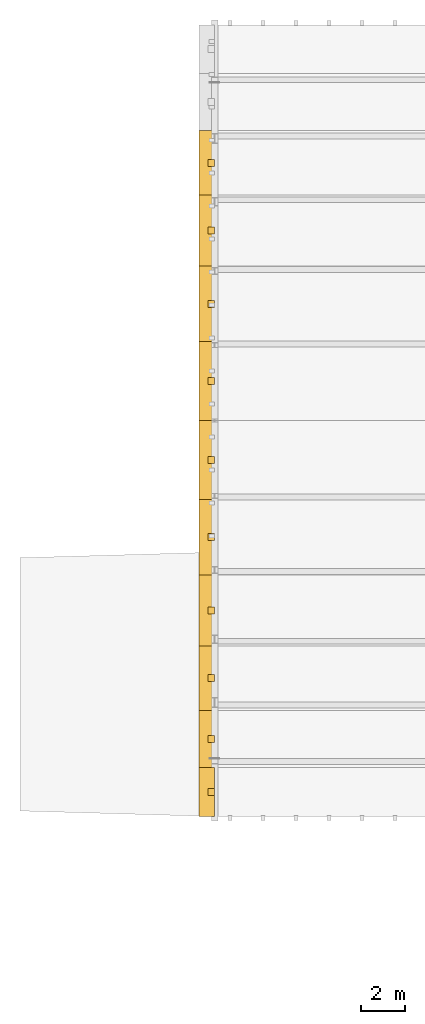
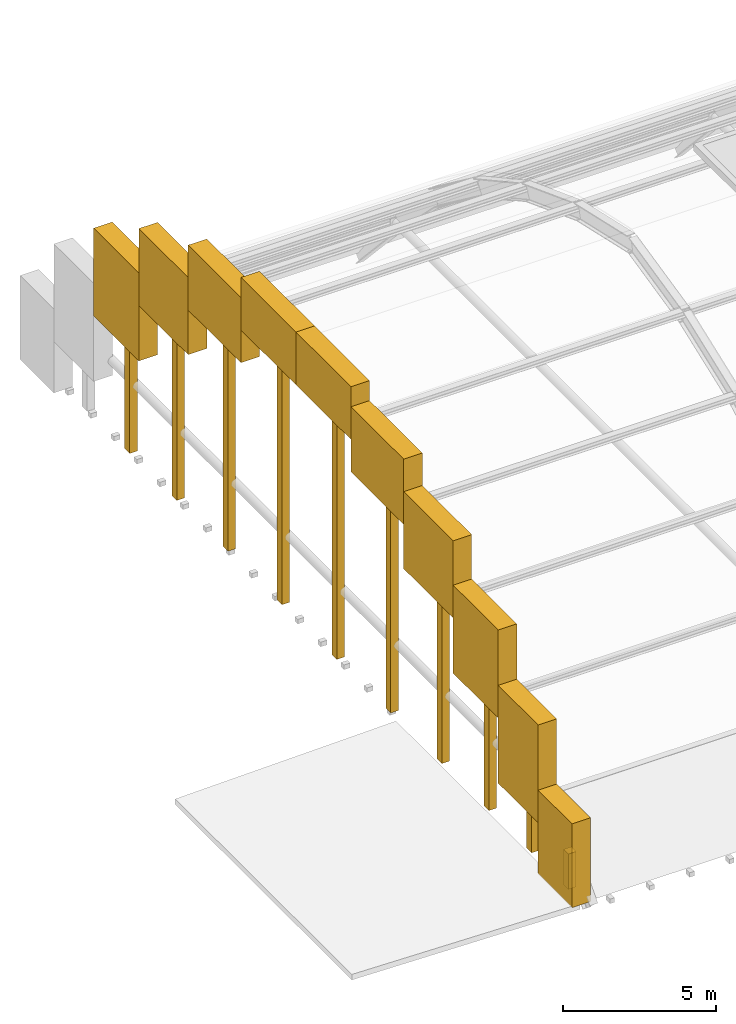
# One storey, part 26 of 35: 20 coverings.
"""IFC4 building model written with IfcOpenShell, lengths in metres."""

from ifc_helpers import new_model, si_unit, direction, frame, origin, place, context, subcontext, project, spatial, polyline, outline, extrude, material, layer, layer_set, type_object, element, save


model = new_model("IFC4")

# Units and contexts
model_context = context("Model", 3, precision=1e-05, world=origin(), true_north=direction((0.0, 1.0)))
body_context = subcontext(model_context, "Body", "Model", "MODEL_VIEW")
ifc_project = project(units=[si_unit("LENGTHUNIT", "METRE"), si_unit("AREAUNIT", "SQUARE_METRE"), si_unit("VOLUMEUNIT", "CUBIC_METRE"), si_unit("PLANEANGLEUNIT", "RADIAN"), si_unit("MASSUNIT", "GRAM", prefix="KILO")], contexts=[model_context])

# Site, building, storey
site_placement = place(None, origin())
site = spatial("IfcSite", under=ifc_project, at=site_placement, CompositionType="ELEMENT")
building_placement = place(site_placement, origin())
building = spatial("IfcBuilding", under=site, at=building_placement, Name="Zlatogorsky Bluff Art Gallery", CompositionType="ELEMENT")
storey_placement = place(building_placement, frame((0.0, 0.0, 23.39990234375)))
storey = spatial("IfcBuildingStorey", under=building, at=storey_placement, Name="L04", CompositionType="ELEMENT", Elevation=23.39990234375)

# Coverings
ifc_material_1 = material(Name="Honed Red Agra-Tone Quartzitic Sandstone", Category="masonry")
ifc_layer_1 = layer(ifc_material_1, 0.1201171875)
ifc_layer_set_1 = layer_set([ifc_layer_1], Name="Carved Sandstone Cladding CLD-02")
covering_type_1 = type_object("IfcCoveringType", Name="Carved Sandstone Cladding CLD-02", PredefinedType="CLADDING", material=ifc_layer_set_1)
covering_1_placement = place(storey_placement, frame((0.0, 0.0, -0.0498046875)))
element("IfcCovering", 1, at=covering_1_placement, inside=storey, type_object=covering_type_1, Name="Barrel vault Mughal pointed gable archivolt WEST.1", PredefinedType="CLADDING", context=body_context, shape_type="SweptSolid", body=[
    extrude(outline(polyline([(-0.64990234375, 84.0), (0.050048828125, 84.0), (0.050048828125, 86.20849609375), (-0.64990234375, 86.20849609375), (-0.64990234375, 84.0)])), origin(), (0.0, 0.0, 1.0), 3.337646484375),
])
covering_2_placement = place(storey_placement, frame((0.0, 0.0, 1.98779296875)))
element("IfcCovering", 2, at=covering_2_placement, inside=storey, type_object=covering_type_1, Name="Barrel vault Mughal pointed gable archivolt WEST.2", PredefinedType="CLADDING", context=body_context, shape_type="SweptSolid", body=[
    extrude(outline(polyline([(-0.64990234375, 86.20849609375), (0.050048828125, 86.20849609375), (0.050048828125, 88.809326171875), (-0.64990234375, 88.809326171875), (-0.64990234375, 86.20849609375)])), origin(), (0.0, 0.0, 1.0), 3.897216796875),
])
covering_3_placement = place(storey_placement, frame((0.0, 0.0, 4.5849609375)))
element("IfcCovering", 3, at=covering_3_placement, inside=storey, type_object=covering_type_1, Name="Barrel vault Mughal pointed gable archivolt WEST.3", PredefinedType="CLADDING", context=body_context, shape_type="SweptSolid", body=[
    extrude(outline(polyline([(-0.64990234375, 88.809326171875), (0.050048828125, 88.809326171875), (0.050048828125, 91.750244140625), (-0.64990234375, 91.750244140625), (-0.64990234375, 88.809326171875)])), origin(), (0.0, 0.0, 1.0), 3.50439453125),
])
covering_4_placement = place(storey_placement, frame((0.0, 0.0, 6.789306640625)))
element("IfcCovering", 4, at=covering_4_placement, inside=storey, type_object=covering_type_1, Name="Barrel vault Mughal pointed gable archivolt WEST.4", PredefinedType="CLADDING", context=body_context, shape_type="SweptSolid", body=[
    extrude(outline(polyline([(-0.64990234375, 91.750244140625), (0.050048828125, 91.750244140625), (0.050048828125, 94.97265625), (-0.64990234375, 94.97265625), (-0.64990234375, 91.750244140625)])), origin(), (0.0, 0.0, 1.0), 3.067626953125),
])
covering_5_placement = place(storey_placement, frame((0.0, 0.0, 8.556884765625)))
element("IfcCovering", 5, at=covering_5_placement, inside=storey, type_object=covering_type_1, Name="Barrel vault Mughal pointed gable archivolt WEST.5", PredefinedType="CLADDING", context=body_context, shape_type="SweptSolid", body=[
    extrude(outline(polyline([(-0.64990234375, 94.97265625), (0.050048828125, 94.97265625), (0.050048828125, 98.412109375), (-0.64990234375, 98.412109375), (-0.64990234375, 94.97265625)])), origin(), (0.0, 0.0, 1.0), 2.595703125),
])
covering_6_placement = place(storey_placement, frame((0.0, 0.0, 9.8525390625)))
element("IfcCovering", 6, at=covering_6_placement, inside=storey, type_object=covering_type_1, Name="Barrel vault Mughal pointed gable archivolt WEST.6", PredefinedType="CLADDING", context=body_context, shape_type="SweptSolid", body=[
    extrude(outline(polyline([(-0.64990234375, 98.412109375), (0.050048828125, 98.412109375), (0.050048828125, 102.0), (-0.64990234375, 102.0), (-0.64990234375, 98.412109375)])), origin(), (0.0, 0.0, 1.0), 2.09765625),
])
covering_7_placement = place(storey_placement, frame((0.0, 0.0, 9.8525390625)))
element("IfcCovering", 7, at=covering_7_placement, inside=storey, type_object=covering_type_1, Name="Barrel vault Mughal pointed gable archivolt WEST.7", PredefinedType="CLADDING", context=body_context, shape_type="SweptSolid", body=[
    extrude(outline(polyline([(-0.64990234375, 102.0), (0.050048828125, 102.0), (0.050048828125, 105.587890625), (-0.64990234375, 105.587890625), (-0.64990234375, 102.0)])), origin(), (0.0, 0.0, 1.0), 2.09765625),
])
covering_8_placement = place(storey_placement, frame((0.0, 0.0, 8.556884765625)))
element("IfcCovering", 8, at=covering_8_placement, inside=storey, type_object=covering_type_1, Name="Barrel vault Mughal pointed gable archivolt WEST.8", PredefinedType="CLADDING", context=body_context, shape_type="SweptSolid", body=[
    extrude(outline(polyline([(-0.64990234375, 105.587890625), (0.050048828125, 105.587890625), (0.050048828125, 109.02734375), (-0.64990234375, 109.02734375), (-0.64990234375, 105.587890625)])), origin(), (0.0, 0.0, 1.0), 2.595703125),
])
covering_9_placement = place(storey_placement, frame((0.0, 0.0, 6.789306640625)))
element("IfcCovering", 9, at=covering_9_placement, inside=storey, type_object=covering_type_1, Name="Barrel vault Mughal pointed gable archivolt WEST.9", PredefinedType="CLADDING", context=body_context, shape_type="SweptSolid", body=[
    extrude(outline(polyline([(-0.64990234375, 109.02734375), (0.050048828125, 109.02734375), (0.050048828125, 112.249755859375), (-0.64990234375, 112.249755859375), (-0.64990234375, 109.02734375)])), origin(), (0.0, 0.0, 1.0), 3.067626953125),
])
covering_10_placement = place(storey_placement, frame((0.0, 0.0, 4.5849609375)))
element("IfcCovering", 10, at=covering_10_placement, inside=storey, type_object=covering_type_1, Name="Barrel vault Mughal pointed gable archivolt WEST.10", PredefinedType="CLADDING", context=body_context, shape_type="SweptSolid", body=[
    extrude(outline(polyline([(-0.64990234375, 112.249755859375), (0.050048828125, 112.249755859375), (0.050048828125, 115.190673828125), (-0.64990234375, 115.190673828125), (-0.64990234375, 112.249755859375)])), origin(), (0.0, 0.0, 1.0), 3.50439453125),
])
ifc_material_2 = material(Name="Patinated Architectural Bronze Fin", Category="metal")
ifc_layer_2 = layer(ifc_material_2, 0.110107421875)
ifc_layer_set_2 = layer_set([ifc_layer_2], Name="Vertical Gallery Fin FIN-01")
covering_type_2 = type_object("IfcCoveringType", Name="Vertical Gallery Fin FIN-01", PredefinedType="CLADDING", material=ifc_layer_set_2)
covering_11_placement = place(storey_placement, frame((0.0, 0.0, -0.039794921875)))
element("IfcCovering", 11, at=covering_11_placement, inside=storey, type_object=covering_type_2, Name="Barrel vault gable tympanum bronze mullion WEST.1", PredefinedType="CLADDING", context=body_context, shape_type="SweptSolid", body=[
    extrude(outline(polyline([(-0.239990234375, 84.9443359375), (0.050048828125, 84.9443359375), (0.050048828125, 85.264404296875), (-0.239990234375, 85.264404296875), (-0.239990234375, 84.9443359375)])), origin(), (0.0, 0.0, 1.0), 1.40869140625),
])
covering_12_placement = place(storey_placement, frame((0.0, 0.0, -0.039794921875)))
element("IfcCovering", 12, at=covering_12_placement, inside=storey, type_object=covering_type_2, Name="Barrel vault gable tympanum bronze mullion WEST.2", PredefinedType="CLADDING", context=body_context, shape_type="SweptSolid", body=[
    extrude(outline(polyline([(-0.239990234375, 87.34912109375), (0.050048828125, 87.34912109375), (0.050048828125, 87.6689453125), (-0.239990234375, 87.6689453125), (-0.239990234375, 87.34912109375)])), origin(), (0.0, 0.0, 1.0), 4.17626953125),
])
covering_13_placement = place(storey_placement, frame((0.0, 0.0, -0.039794921875)))
element("IfcCovering", 13, at=covering_13_placement, inside=storey, type_object=covering_type_2, Name="Barrel vault gable tympanum bronze mullion WEST.3", PredefinedType="CLADDING", context=body_context, shape_type="SweptSolid", body=[
    extrude(outline(polyline([(-0.239990234375, 90.119873046875), (0.050048828125, 90.119873046875), (0.050048828125, 90.439697265625), (-0.239990234375, 90.439697265625), (-0.239990234375, 90.119873046875)])), origin(), (0.0, 0.0, 1.0), 6.576904296875),
])
covering_14_placement = place(storey_placement, frame((0.0, 0.0, -0.039794921875)))
element("IfcCovering", 14, at=covering_14_placement, inside=storey, type_object=covering_type_2, Name="Barrel vault gable tympanum bronze mullion WEST.4", PredefinedType="CLADDING", context=body_context, shape_type="SweptSolid", body=[
    extrude(outline(polyline([(-0.239990234375, 93.201416015625), (0.050048828125, 93.201416015625), (0.050048828125, 93.521484375), (-0.239990234375, 93.521484375), (-0.239990234375, 93.201416015625)])), origin(), (0.0, 0.0, 1.0), 8.56298828125),
])
covering_15_placement = place(storey_placement, frame((0.0, 0.0, -0.039794921875)))
element("IfcCovering", 15, at=covering_15_placement, inside=storey, type_object=covering_type_2, Name="Barrel vault gable tympanum bronze mullion WEST.5", PredefinedType="CLADDING", context=body_context, shape_type="SweptSolid", body=[
    extrude(outline(polyline([(-0.239990234375, 96.532470703125), (0.050048828125, 96.532470703125), (0.050048828125, 96.8525390625), (-0.239990234375, 96.8525390625), (-0.239990234375, 96.532470703125)])), origin(), (0.0, 0.0, 1.0), 10.094482421875),
])
covering_16_placement = place(storey_placement, frame((0.0, 0.0, -0.039794921875)))
element("IfcCovering", 16, at=covering_16_placement, inside=storey, type_object=covering_type_2, Name="Barrel vault gable tympanum bronze mullion WEST.6", PredefinedType="CLADDING", context=body_context, shape_type="SweptSolid", body=[
    extrude(outline(polyline([(-0.239990234375, 100.046142578125), (0.050048828125, 100.046142578125), (0.050048828125, 100.3662109375), (-0.239990234375, 100.3662109375), (-0.239990234375, 100.046142578125)])), origin(), (0.0, 0.0, 1.0), 11.14111328125),
])
covering_17_placement = place(storey_placement, frame((0.0, 0.0, -0.039794921875)))
element("IfcCovering", 17, at=covering_17_placement, inside=storey, type_object=covering_type_2, Name="Barrel vault gable tympanum bronze mullion WEST.7", PredefinedType="CLADDING", context=body_context, shape_type="SweptSolid", body=[
    extrude(outline(polyline([(-0.239990234375, 103.6337890625), (0.050048828125, 103.6337890625), (0.050048828125, 103.953857421875), (-0.239990234375, 103.953857421875), (-0.239990234375, 103.6337890625)])), origin(), (0.0, 0.0, 1.0), 11.14111328125),
])
covering_18_placement = place(storey_placement, frame((0.0, 0.0, -0.039794921875)))
element("IfcCovering", 18, at=covering_18_placement, inside=storey, type_object=covering_type_2, Name="Barrel vault gable tympanum bronze mullion WEST.8", PredefinedType="CLADDING", context=body_context, shape_type="SweptSolid", body=[
    extrude(outline(polyline([(-0.239990234375, 107.1474609375), (0.050048828125, 107.1474609375), (0.050048828125, 107.467529296875), (-0.239990234375, 107.467529296875), (-0.239990234375, 107.1474609375)])), origin(), (0.0, 0.0, 1.0), 10.094482421875),
])
covering_19_placement = place(storey_placement, frame((0.0, 0.0, -0.039794921875)))
element("IfcCovering", 19, at=covering_19_placement, inside=storey, type_object=covering_type_2, Name="Barrel vault gable tympanum bronze mullion WEST.9", PredefinedType="CLADDING", context=body_context, shape_type="SweptSolid", body=[
    extrude(outline(polyline([(-0.239990234375, 110.478515625), (0.050048828125, 110.478515625), (0.050048828125, 110.798583984375), (-0.239990234375, 110.798583984375), (-0.239990234375, 110.478515625)])), origin(), (0.0, 0.0, 1.0), 8.56298828125),
])
covering_20_placement = place(storey_placement, frame((0.0, 0.0, -0.039794921875)))
element("IfcCovering", 20, at=covering_20_placement, inside=storey, type_object=covering_type_2, Name="Barrel vault gable tympanum bronze mullion WEST.10", PredefinedType="CLADDING", context=body_context, shape_type="SweptSolid", body=[
    extrude(outline(polyline([(-0.239990234375, 113.560302734375), (0.050048828125, 113.560302734375), (0.050048828125, 113.880126953125), (-0.239990234375, 113.880126953125), (-0.239990234375, 113.560302734375)])), origin(), (0.0, 0.0, 1.0), 6.576904296875),
])

save(model, "model.ifc")
